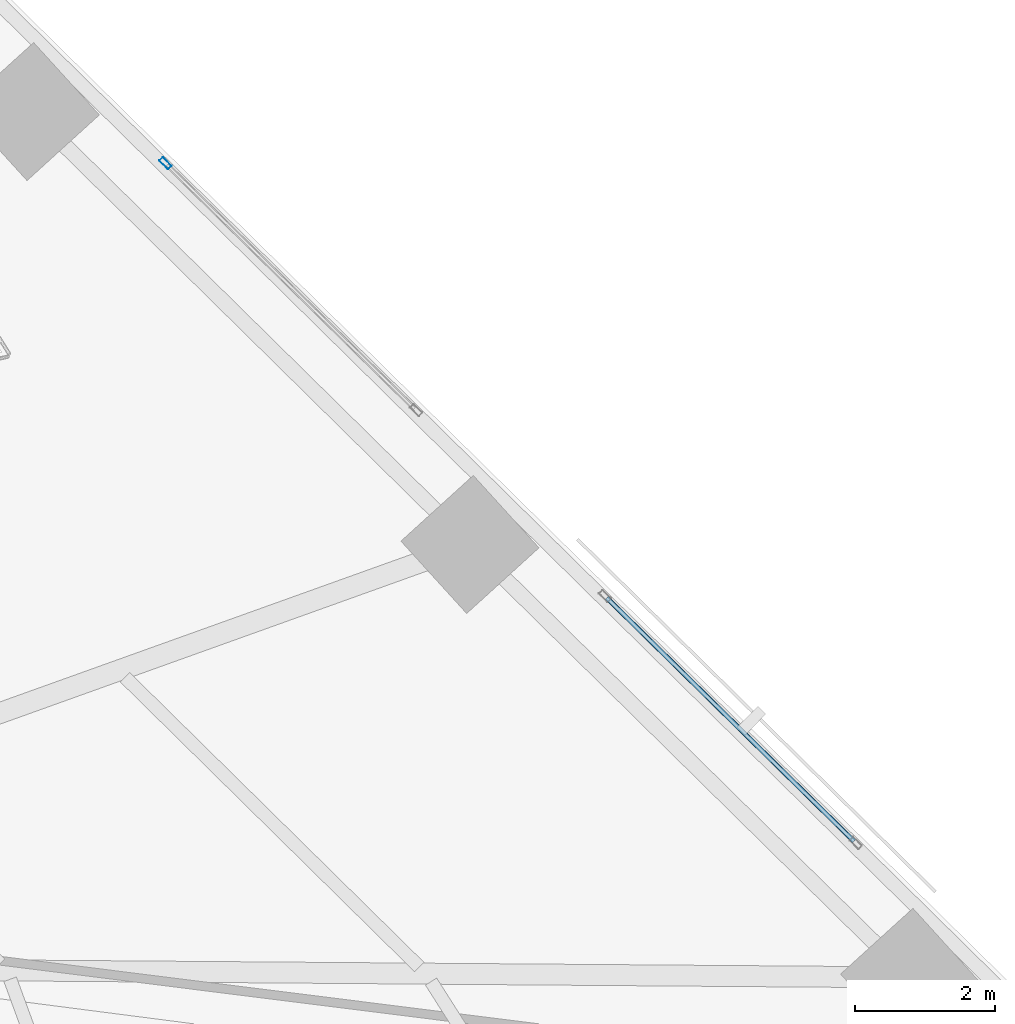
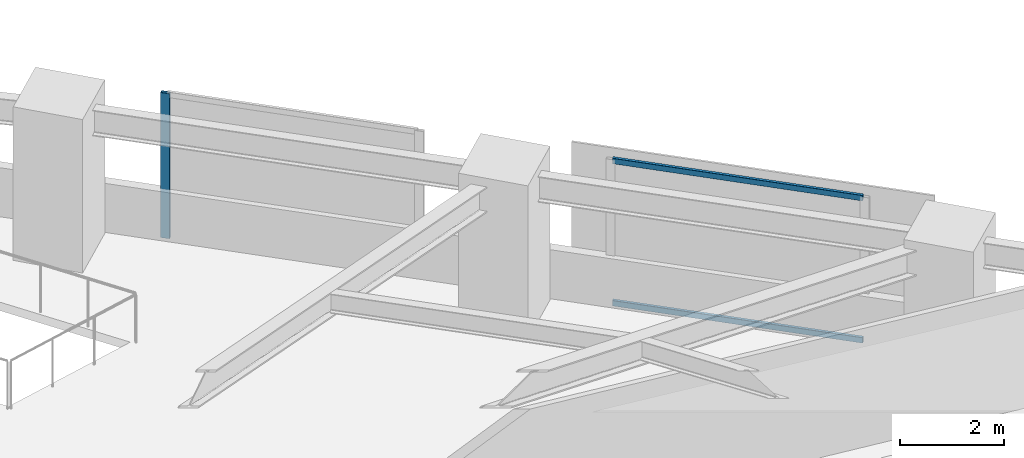
# One storey, part 7 of 17: 3 members, 2 elements without a shape of their own.
"""IFC4 building model written with IfcOpenShell, lengths in metres."""

from ifc_helpers import new_model, si_unit, direction, frame, origin, origin_2d, place, context, subcontext, project, spatial, hollow_rectangle, extrude, material, material_profile, profile_set, type_object, element, aggregate, save


model = new_model("IFC4")

# Units and contexts
model_context = context("Model", 3, precision=1e-05, world=origin(), true_north=direction((0.0, 1.0)))
body_context = subcontext(model_context, "Body", "Model", "MODEL_VIEW")
ifc_project = project(units=[si_unit("LENGTHUNIT", "METRE"), si_unit("AREAUNIT", "SQUARE_METRE"), si_unit("VOLUMEUNIT", "CUBIC_METRE"), si_unit("PLANEANGLEUNIT", "RADIAN"), si_unit("MASSUNIT", "GRAM", prefix="KILO")], contexts=[model_context])

# Site, building, storey
site_placement = place(None, origin())
site = spatial("IfcSite", under=ifc_project, at=site_placement, CompositionType="ELEMENT")
building_placement = place(site_placement, origin())
building = spatial("IfcBuilding", under=site, at=building_placement, Name="Narakoshi Arena Tower", CompositionType="ELEMENT")
storey_placement = place(building_placement, frame((0.0, 0.0, 51.89990234375)))
storey = spatial("IfcBuildingStorey", under=building, at=storey_placement, Name="L13", CompositionType="ELEMENT", Elevation=51.89990234375)

# Curtain wall, member
ifc_material = material(Name="Anodised bronze aluminium 6063-T6", Category="aluminium")
curtain_wall_type = type_object("IfcCurtainWallType", Name="CW-HYP-LOW", PredefinedType="NOTDEFINED", material=ifc_material)
curtain_wall_1_placement = place(storey_placement, origin())
curtain_wall_1 = element("IfcCurtainWall", 1, at=curtain_wall_1_placement, inside=storey, type_object=curtain_wall_type, Name="L13 Folded Hypotenuse Curtain Wall 1-4", PredefinedType="NOTDEFINED")
ifc_material_profile_1 = material_profile(ifc_material, hollow_rectangle(XDim=0.074951171875, YDim=0.179931640625, WallThickness=0.00390625, OuterFilletRadius=0.0048828125, at=origin_2d()), Name="MUL180x75x4")
ifc_profile_set_1 = profile_set([ifc_material_profile_1], Name="Anodised bronze aluminium 6063-T6")
member_type_1 = type_object("IfcMemberType", Name="MEM-MUL-180", PredefinedType="MULLION", material=ifc_profile_set_1)
member_1_placement = place(storey_placement, frame((97.982177734375, 54.835205078125, 0.0), z_axis=(0.0, 0.0, 1.0), x_axis=(-0.701632802488, -0.712538708053, 0.0)))
member_1 = element("IfcMember", 2, at=member_1_placement, type_object=member_type_1, Name="CW-01 mullion 2", PredefinedType="MULLION", context=body_context, shape_type="SweptSolid", body=[
    extrude(hollow_rectangle(XDim=0.074951171875, YDim=0.179931640625, WallThickness=0.00390625, OuterFilletRadius=0.0048828125, at=origin_2d()), origin(), (0.0, 0.0, 1.0), 3.400146484375),
])
aggregate(curtain_wall_1, [member_1])

# Curtain wall, members
curtain_wall_2_placement = place(storey_placement, origin())
curtain_wall_2 = element("IfcCurtainWall", 3, at=curtain_wall_2_placement, inside=storey, type_object=curtain_wall_type, Name="L13 Folded Hypotenuse Curtain Wall 1-3", PredefinedType="NOTDEFINED")
ifc_material_profile_2 = material_profile(ifc_material, hollow_rectangle(XDim=0.06494140625, YDim=0.1298828125, WallThickness=0.00390625, OuterFilletRadius=0.0048828125, at=origin_2d()), Name="TRN130x65x4")
ifc_profile_set_2 = profile_set([ifc_material_profile_2], Name="Anodised bronze aluminium 6063-T6")
member_type_2 = type_object("IfcMemberType", Name="MEM-TRN-130", PredefinedType="USERDEFINED", material=ifc_profile_set_2)
member_2_placement = place(storey_placement, frame((107.845947265625, 45.122314453125, 0.03271484375), z_axis=(-0.712542243067, 0.701629212508, 0.0), x_axis=(-0.701629212508, -0.712542243067, 0.0)))
member_2 = element("IfcMember", 4, at=member_2_placement, type_object=member_type_2, Name="CW-01 transom 1.1", ObjectType="TRANSOM", PredefinedType="USERDEFINED", context=body_context, shape_type="SweptSolid", body=[
    extrude(hollow_rectangle(XDim=0.06494140625, YDim=0.1298828125, WallThickness=0.00390625, OuterFilletRadius=0.0048828125, at=origin_2d()), origin(), (0.0, 0.0, 1.0), 4.966552734375),
])
member_3_placement = place(storey_placement, frame((107.845947265625, 45.122314453125, 3.36767578125), z_axis=(-0.712542243067, 0.701629212508, 0.0), x_axis=(-0.701629212508, -0.712542243067, 0.0)))
member_3 = element("IfcMember", 5, at=member_3_placement, type_object=member_type_2, Name="CW-01 transom 1.2", ObjectType="TRANSOM", PredefinedType="USERDEFINED", context=body_context, shape_type="SweptSolid", body=[
    extrude(hollow_rectangle(XDim=0.06494140625, YDim=0.1298828125, WallThickness=0.00390625, OuterFilletRadius=0.0048828125, at=origin_2d()), origin(), (0.0, 0.0, 1.0), 4.966552734375),
])
aggregate(curtain_wall_2, [member_2, member_3])

save(model, "model.ifc")
